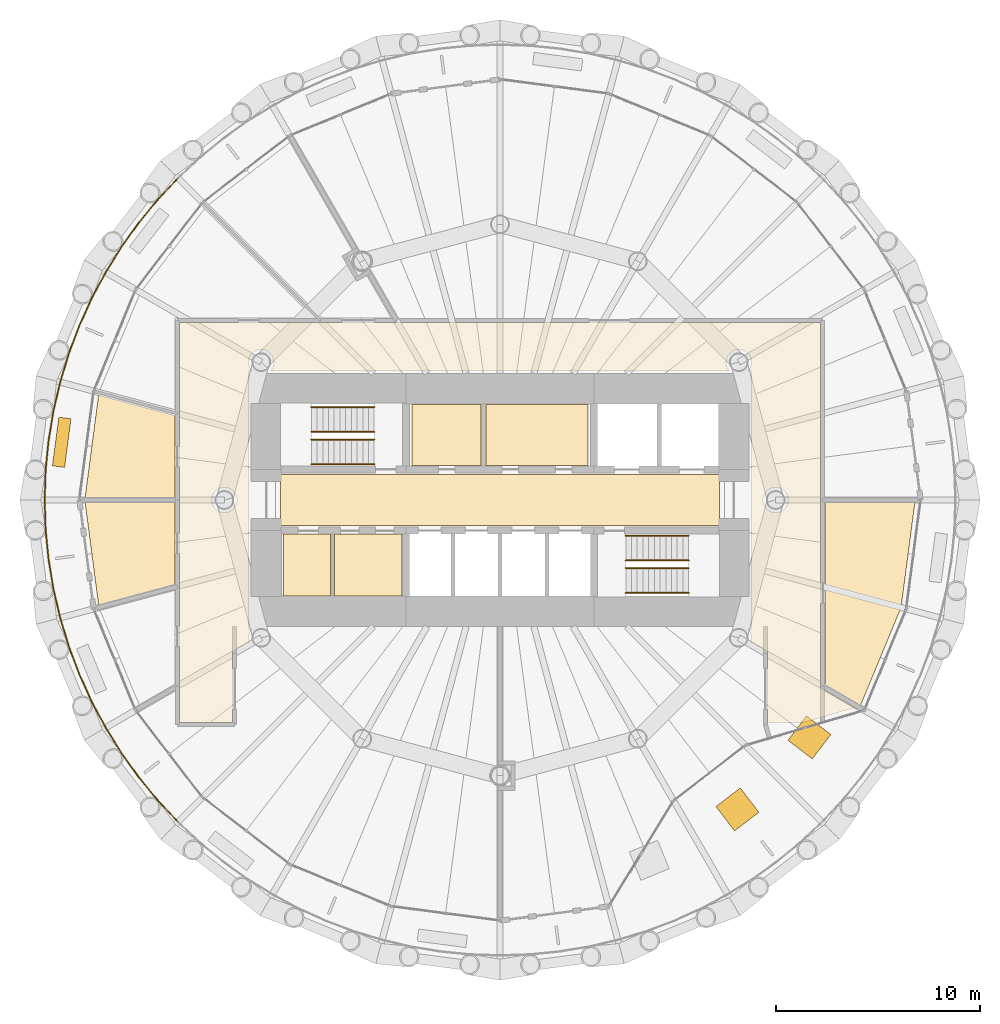
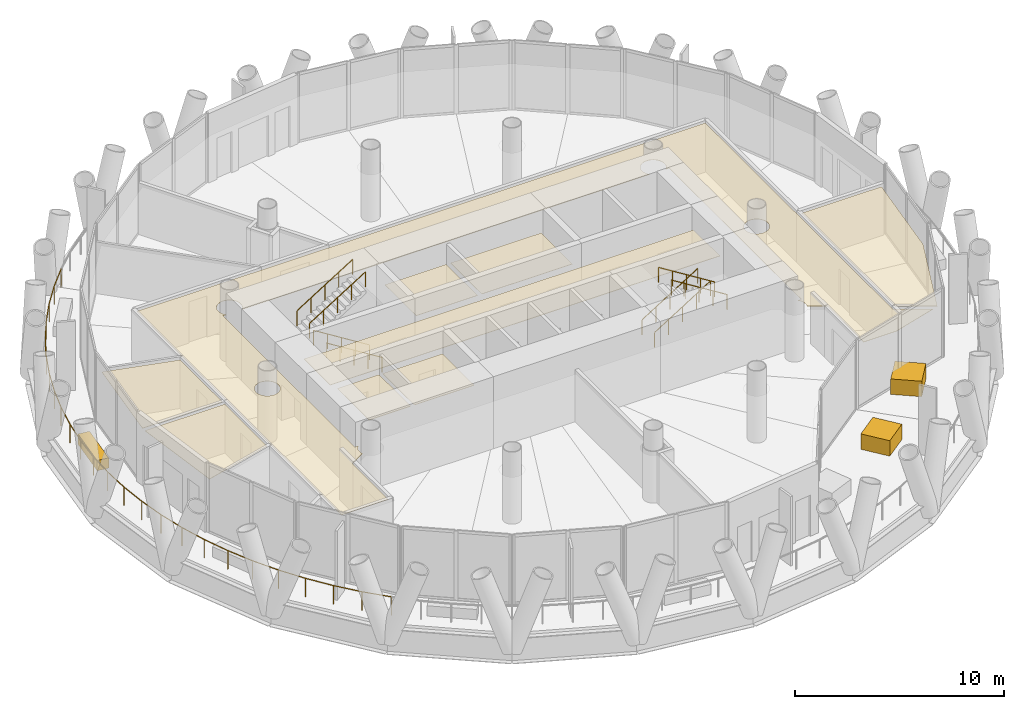
# One storey, part 12 of 14: 12 coverings, 9 railings.
"""IFC4 building model written with IfcOpenShell, lengths in metres."""

from ifc_helpers import new_model, si_unit, direction, frame, origin, origin_2d, place, context, subcontext, project, spatial, polyline, rectangle, circle, outline, extrude, material, layer, layer_set, type_object, element, save


model = new_model("IFC4")

# Units and contexts
model_context = context("Model", 3, precision=1e-05, world=origin(), true_north=direction((0.0, 1.0)))
body_context = subcontext(model_context, "Body", "Model", "MODEL_VIEW")
ifc_project = project(units=[si_unit("LENGTHUNIT", "METRE"), si_unit("AREAUNIT", "SQUARE_METRE"), si_unit("VOLUMEUNIT", "CUBIC_METRE"), si_unit("PLANEANGLEUNIT", "RADIAN"), si_unit("MASSUNIT", "GRAM", prefix="KILO")], contexts=[model_context])

# Site, building, storey
site_placement = place(None, origin())
site = spatial("IfcSite", under=ifc_project, at=site_placement, CompositionType="ELEMENT")
building_placement = place(site_placement, origin())
building = spatial("IfcBuilding", under=site, at=building_placement, Name="Qaws Media Tower", CompositionType="ELEMENT")
storey_placement = place(building_placement, frame((0.0, 0.0, 210.800048828125)))
storey = spatial("IfcBuildingStorey", under=building, at=storey_placement, Name="L48", CompositionType="ELEMENT", Elevation=210.800048828125)

# Railing
ifc_material_1 = material(Name="Stainless steel and glass guard", Category="steel")
railing_type_1 = type_object("IfcRailingType", Name="Balcony guard 1100", PredefinedType="GUARDRAIL", material=ifc_material_1)
railing_placement = place(storey_placement, frame((44.2314453125, 65.7685546875, 0.0)))
element("IfcRailing", 1, at=railing_placement, inside=storey, type_object=railing_type_1, Name="GR1 balcony guard L48-2", PredefinedType="GUARDRAIL", context=body_context, shape_type="SweptSolid", body=[
    extrude(circle(Radius=0.02392578125, at=origin_2d()), frame((0.0, 0.0, 1.076171875), z_axis=(-0.683557061396, -0.72989707755, 0.0), x_axis=(0.72989707755, -0.683557061396, 0.0)), (0.0, 0.0, 1.0), 1.45947265625),
    extrude(circle(Radius=0.02392578125, at=origin_2d()), frame((-0.99755859375, -1.065185546875, 1.076171875), z_axis=(-0.6344396702, -0.772972382997, 0.0), x_axis=(0.772972382997, -0.6344396702, 0.0)), (0.0, 0.0, 1.0), 1.459228515625),
    extrude(circle(Radius=0.02392578125, at=origin_2d()), frame((-1.92333984375, -2.193115234375, 1.076171875), z_axis=(-0.582377083837, -0.812918773446, 0.0), x_axis=(0.812918773446, -0.582377083837, 0.0)), (0.0, 0.0, 1.0), 1.459228515625),
    extrude(circle(Radius=0.02392578125, at=origin_2d()), frame((-2.773193359375, -3.37939453125, 1.076171875), z_axis=(-0.528012394028, -0.849236664159, 0.0), x_axis=(0.849236664159, -0.528012394028, 0.0)), (0.0, 0.0, 1.0), 1.459228515625),
    extrude(circle(Radius=0.02392578125, at=origin_2d()), frame((-3.543701171875, -4.61865234375, 1.076171875), z_axis=(-0.471473746049, -0.881880097738, 0.0), x_axis=(0.881880097738, -0.471473746049, 0.0)), (0.0, 0.0, 1.0), 1.459228515625),
    extrude(circle(Radius=0.02392578125, at=origin_2d()), frame((-4.231689453125, -5.905517578125, 1.076171875), z_axis=(-0.41275640386, -0.910841452215, 0.0), x_axis=(0.910841452215, -0.41275640386, 0.0)), (0.0, 0.0, 1.0), 1.459228515625),
    extrude(circle(Radius=0.02392578125, at=origin_2d()), frame((-4.833984375, -7.234619140625, 1.076171875), z_axis=(-0.352186662304, -0.935929780964, 0.0), x_axis=(0.935929780964, -0.352186662304, 0.0)), (0.0, 0.0, 1.0), 1.459228515625),
    extrude(circle(Radius=0.02392578125, at=origin_2d()), frame((-5.347900390625, -8.600341796875, 1.076171875), z_axis=(-0.290262764805, -0.956946982527, 0.0), x_axis=(0.956946982527, -0.290262764805, 0.0)), (0.0, 0.0, 1.0), 1.459228515625),
    extrude(circle(Radius=0.02392578125, at=origin_2d()), frame((-5.771484375, -9.996826171875, 1.076171875), z_axis=(-0.227192594499, -0.973849847258, 0.0), x_axis=(0.973849847258, -0.227192594499, 0.0)), (0.0, 0.0, 1.0), 1.459228515625),
    extrude(circle(Radius=0.02392578125, at=origin_2d()), frame((-6.10302734375, -11.41796875, 1.076171875), z_axis=(-0.162771097721, -0.986663858539, 0.0), x_axis=(0.986663858539, -0.162771097721, 0.0)), (0.0, 0.0, 1.0), 1.45947265625),
    extrude(circle(Radius=0.02392578125, at=origin_2d()), frame((-6.340576171875, -12.85791015625, 1.076171875), z_axis=(-0.098045829483, -0.99518190062, 0.0), x_axis=(0.99518190062, -0.098045829483, 0.0)), (0.0, 0.0, 1.0), 1.459228515625),
    extrude(circle(Radius=0.02392578125, at=origin_2d()), frame((-6.483642578125, -14.31005859375, 1.076171875), z_axis=(-0.032791194499, -0.99946222418, 0.0), x_axis=(0.99946222418, -0.032791194499, 0.0)), (0.0, 0.0, 1.0), 1.459228515625),
    extrude(circle(Radius=0.02392578125, at=origin_2d()), frame((-6.531494140625, -15.7685546875, 1.076171875), z_axis=(0.032791194499, -0.99946222418, 0.0), x_axis=(0.99946222418, 0.032791194499, 0.0)), (0.0, 0.0, 1.0), 1.459228515625),
    extrude(circle(Radius=0.02392578125, at=origin_2d()), frame((-6.483642578125, -17.22705078125, 1.076171875), z_axis=(0.098045829483, -0.99518190062, 0.0), x_axis=(0.99518190062, 0.098045829483, 0.0)), (0.0, 0.0, 1.0), 1.459228515625),
    extrude(circle(Radius=0.02392578125, at=origin_2d()), frame((-6.340576171875, -18.67919921875, 1.076171875), z_axis=(0.162771097721, -0.986663858539, 0.0), x_axis=(0.986663858539, 0.162771097721, 0.0)), (0.0, 0.0, 1.0), 1.45947265625),
    extrude(circle(Radius=0.02392578125, at=origin_2d()), frame((-6.10302734375, -20.119140625, 1.076171875), z_axis=(0.227192594499, -0.973849847258, 0.0), x_axis=(0.973849847258, 0.227192594499, 0.0)), (0.0, 0.0, 1.0), 1.459228515625),
    extrude(circle(Radius=0.02392578125, at=origin_2d()), frame((-5.771484375, -21.540283203125, 1.076171875), z_axis=(0.290262764805, -0.956946982527, 0.0), x_axis=(0.956946982527, 0.290262764805, 0.0)), (0.0, 0.0, 1.0), 1.459228515625),
    extrude(circle(Radius=0.02392578125, at=origin_2d()), frame((-5.347900390625, -22.936767578125, 1.076171875), z_axis=(0.352186662304, -0.935929780964, 0.0), x_axis=(0.935929780964, 0.352186662304, 0.0)), (0.0, 0.0, 1.0), 1.459228515625),
    extrude(circle(Radius=0.02392578125, at=origin_2d()), frame((-4.833984375, -24.302490234375, 1.076171875), z_axis=(0.41275640386, -0.910841452215, 0.0), x_axis=(0.910841452215, 0.41275640386, 0.0)), (0.0, 0.0, 1.0), 1.459228515625),
    extrude(circle(Radius=0.02392578125, at=origin_2d()), frame((-4.231689453125, -25.631591796875, 1.076171875), z_axis=(0.471473746049, -0.881880097738, 0.0), x_axis=(0.881880097738, 0.471473746049, 0.0)), (0.0, 0.0, 1.0), 1.459228515625),
    extrude(circle(Radius=0.02392578125, at=origin_2d()), frame((-3.543701171875, -26.91845703125, 1.076171875), z_axis=(0.528012394028, -0.849236664159, 0.0), x_axis=(0.849236664159, 0.528012394028, 0.0)), (0.0, 0.0, 1.0), 1.459228515625),
    extrude(circle(Radius=0.02392578125, at=origin_2d()), frame((-2.773193359375, -28.15771484375, 1.076171875), z_axis=(0.582377083837, -0.812918773446, 0.0), x_axis=(0.812918773446, 0.582377083837, 0.0)), (0.0, 0.0, 1.0), 1.459228515625),
    extrude(circle(Radius=0.02392578125, at=origin_2d()), frame((-1.92333984375, -29.343994140625, 1.076171875), z_axis=(0.6344396702, -0.772972382997, 0.0), x_axis=(0.772972382997, 0.6344396702, 0.0)), (0.0, 0.0, 1.0), 1.459228515625),
    extrude(circle(Radius=0.02392578125, at=origin_2d()), frame((-0.99755859375, -30.471923828125, 1.076171875), z_axis=(0.683557061396, -0.72989707755, 0.0), x_axis=(0.72989707755, 0.683557061396, 0.0)), (0.0, 0.0, 1.0), 1.45947265625),
    extrude(circle(Radius=0.02099609375, at=origin_2d()), origin(), (0.0, 0.0, 1.0), 1.052001953125),
    extrude(circle(Radius=0.02099609375, at=origin_2d()), frame((-0.99755859375, -1.065185546875, 0.0)), (0.0, 0.0, 1.0), 1.052001953125),
    extrude(circle(Radius=0.02099609375, at=origin_2d()), frame((-1.92333984375, -2.193115234375, 0.0)), (0.0, 0.0, 1.0), 1.052001953125),
    extrude(circle(Radius=0.02099609375, at=origin_2d()), frame((-2.773193359375, -3.37939453125, 0.0)), (0.0, 0.0, 1.0), 1.052001953125),
    extrude(circle(Radius=0.02099609375, at=origin_2d()), frame((-3.543701171875, -4.61865234375, 0.0)), (0.0, 0.0, 1.0), 1.052001953125),
    extrude(circle(Radius=0.02099609375, at=origin_2d()), frame((-4.231689453125, -5.905517578125, 0.0)), (0.0, 0.0, 1.0), 1.052001953125),
    extrude(circle(Radius=0.02099609375, at=origin_2d()), frame((-4.833984375, -7.234619140625, 0.0)), (0.0, 0.0, 1.0), 1.052001953125),
    extrude(circle(Radius=0.02099609375, at=origin_2d()), frame((-5.347900390625, -8.600341796875, 0.0)), (0.0, 0.0, 1.0), 1.052001953125),
    extrude(circle(Radius=0.02099609375, at=origin_2d()), frame((-5.771484375, -9.996826171875, 0.0)), (0.0, 0.0, 1.0), 1.052001953125),
    extrude(circle(Radius=0.02099609375, at=origin_2d()), frame((-6.10302734375, -11.41796875, 0.0)), (0.0, 0.0, 1.0), 1.052001953125),
    extrude(circle(Radius=0.02099609375, at=origin_2d()), frame((-6.340576171875, -12.85791015625, 0.0)), (0.0, 0.0, 1.0), 1.052001953125),
    extrude(circle(Radius=0.02099609375, at=origin_2d()), frame((-6.483642578125, -14.31005859375, 0.0)), (0.0, 0.0, 1.0), 1.052001953125),
    extrude(circle(Radius=0.02099609375, at=origin_2d()), frame((-6.531494140625, -15.7685546875, 0.0)), (0.0, 0.0, 1.0), 1.052001953125),
    extrude(circle(Radius=0.02099609375, at=origin_2d()), frame((-6.483642578125, -17.22705078125, 0.0)), (0.0, 0.0, 1.0), 1.052001953125),
    extrude(circle(Radius=0.02099609375, at=origin_2d()), frame((-6.340576171875, -18.67919921875, 0.0)), (0.0, 0.0, 1.0), 1.052001953125),
    extrude(circle(Radius=0.02099609375, at=origin_2d()), frame((-6.10302734375, -20.119140625, 0.0)), (0.0, 0.0, 1.0), 1.052001953125),
    extrude(circle(Radius=0.02099609375, at=origin_2d()), frame((-5.771484375, -21.540283203125, 0.0)), (0.0, 0.0, 1.0), 1.052001953125),
    extrude(circle(Radius=0.02099609375, at=origin_2d()), frame((-5.347900390625, -22.936767578125, 0.0)), (0.0, 0.0, 1.0), 1.052001953125),
    extrude(circle(Radius=0.02099609375, at=origin_2d()), frame((-4.833984375, -24.302490234375, 0.0)), (0.0, 0.0, 1.0), 1.052001953125),
    extrude(circle(Radius=0.02099609375, at=origin_2d()), frame((-4.231689453125, -25.631591796875, 0.0)), (0.0, 0.0, 1.0), 1.052001953125),
    extrude(circle(Radius=0.02099609375, at=origin_2d()), frame((-3.543701171875, -26.91845703125, 0.0)), (0.0, 0.0, 1.0), 1.052001953125),
    extrude(circle(Radius=0.02099609375, at=origin_2d()), frame((-2.773193359375, -28.15771484375, 0.0)), (0.0, 0.0, 1.0), 1.052001953125),
    extrude(circle(Radius=0.02099609375, at=origin_2d()), frame((-1.92333984375, -29.343994140625, 0.0)), (0.0, 0.0, 1.0), 1.052001953125),
    extrude(circle(Radius=0.02099609375, at=origin_2d()), frame((-0.99755859375, -30.471923828125, 0.0)), (0.0, 0.0, 1.0), 1.052001953125),
    extrude(circle(Radius=0.02099609375, at=origin_2d()), frame((0.0, -31.537109375, 0.0)), (0.0, 0.0, 1.0), 1.052001953125),
])

# Coverings
ifc_material_2 = material(Name="600 x 600 mineral fibre tiles in exposed grid, suspended", Category="mineral fibre")
ifc_layer_1 = layer(ifc_material_2, 0.02001953125)
ifc_layer_set_1 = layer_set([ifc_layer_1], Name="Mineral fibre tile ceiling 20")
covering_type_1 = type_object("IfcCoveringType", Name="Mineral fibre tile ceiling 20", PredefinedType="CEILING", material=ifc_layer_set_1)
covering_1_placement = place(storey_placement, frame((0.0, 0.0, 2.849853515625)))
element("IfcCovering", 2, at=covering_1_placement, inside=storey, type_object=covering_type_1, Name="CL1 ceiling L48-C07 Ladies toilets", PredefinedType="CEILING", context=body_context, shape_type="SweptSolid", body=[
    extrude(outline(polyline([(55.695068359375, 51.695068359375), (55.695068359375, 54.679931640625), (59.075439453125, 54.679931640625), (59.075439453125, 51.695068359375), (55.695068359375, 51.695068359375)])), origin(), (0.0, 0.0, 1.0), 0.02001953125),
])
covering_2_placement = place(storey_placement, frame((0.0, 0.0, 2.849853515625)))
element("IfcCovering", 3, at=covering_2_placement, inside=storey, type_object=covering_type_1, Name="CL1 ceiling L48-C08 Gents toilets", PredefinedType="CEILING", context=body_context, shape_type="SweptSolid", body=[
    extrude(outline(polyline([(59.3154296875, 51.695068359375), (59.3154296875, 54.679931640625), (64.304931640625, 54.679931640625), (64.304931640625, 51.695068359375), (59.3154296875, 51.695068359375)])), origin(), (0.0, 0.0, 1.0), 0.02001953125),
])
covering_3_placement = place(storey_placement, frame((0.0, 0.0, 2.849853515625)))
element("IfcCovering", 4, at=covering_3_placement, inside=storey, type_object=covering_type_1, Name="CL1 ceiling L48-01 Corridor", PredefinedType="CEILING", context=body_context, shape_type="SweptSolid", body=[
    extrude(outline(polyline([(74.927734375, 39.112548828125), (73.112548828125, 39.112548828125), (73.112548828125, 42.559326171875), (72.27197265625, 43.044921875), (72.287353515625, 43.09033203125), (72.302978515625, 43.16943359375), (72.308349609375, 43.25), (72.302978515625, 43.33056640625), (72.287353515625, 43.40966796875), (72.261474609375, 43.486083984375), (72.2255859375, 43.55859375), (72.180908203125, 43.62548828125), (72.126220703125, 43.6875), (72.3125, 43.6875), (72.3125, 56.3125), (72.126220703125, 56.3125), (72.180908203125, 56.37451171875), (72.2255859375, 56.44140625), (72.261474609375, 56.513916015625), (72.287353515625, 56.59033203125), (72.302978515625, 56.66943359375), (72.308349609375, 56.75), (72.302978515625, 56.83056640625), (72.287353515625, 56.90966796875), (72.261474609375, 56.986083984375), (72.2255859375, 57.05859375), (72.180908203125, 57.12548828125), (72.127685546875, 57.186279296875), (72.06689453125, 57.239501953125), (71.999755859375, 57.2841796875), (71.927490234375, 57.320068359375), (71.85107421875, 57.345947265625), (71.77197265625, 57.36181640625), (71.69140625, 57.366943359375), (71.61083984375, 57.36181640625), (71.53173828125, 57.345947265625), (71.455078125, 57.320068359375), (71.3828125, 57.2841796875), (71.315673828125, 57.239501953125), (71.255126953125, 57.186279296875), (71.201904296875, 57.12548828125), (71.156982421875, 57.05859375), (71.121337890625, 56.986083984375), (71.095458984375, 56.90966796875), (71.07958984375, 56.83056640625), (71.07421875, 56.75), (71.07958984375, 56.66943359375), (71.095458984375, 56.59033203125), (71.121337890625, 56.513916015625), (71.156982421875, 56.44140625), (71.201904296875, 56.37451171875), (71.25634765625, 56.3125), (48.74365234375, 56.3125), (48.798095703125, 56.37451171875), (48.843017578125, 56.44140625), (48.878662109375, 56.513916015625), (48.904541015625, 56.59033203125), (48.92041015625, 56.66943359375), (48.92578125, 56.75), (48.92041015625, 56.83056640625), (48.904541015625, 56.90966796875), (48.878662109375, 56.986083984375), (48.843017578125, 57.05859375), (48.798095703125, 57.12548828125), (48.744873046875, 57.186279296875), (48.684326171875, 57.239501953125), (48.6171875, 57.2841796875), (48.544921875, 57.320068359375), (48.46826171875, 57.345947265625), (48.38916015625, 57.36181640625), (48.30859375, 57.366943359375), (48.22802734375, 57.36181640625), (48.14892578125, 57.345947265625), (48.072509765625, 57.320068359375), (48.000244140625, 57.2841796875), (47.93310546875, 57.239501953125), (47.872314453125, 57.186279296875), (47.819091796875, 57.12548828125), (47.7744140625, 57.05859375), (47.738525390625, 56.986083984375), (47.712646484375, 56.90966796875), (47.697021484375, 56.83056640625), (47.691650390625, 56.75), (47.697021484375, 56.66943359375), (47.712646484375, 56.59033203125), (47.738525390625, 56.513916015625), (47.7744140625, 56.44140625), (47.819091796875, 56.37451171875), (47.873779296875, 56.3125), (47.6875, 56.3125), (47.6875, 43.6875), (47.873779296875, 43.6875), (47.819091796875, 43.62548828125), (47.7744140625, 43.55859375), (47.738525390625, 43.486083984375), (47.712646484375, 43.40966796875), (47.697021484375, 43.33056640625), (47.691650390625, 43.25), (47.697021484375, 43.16943359375), (47.712646484375, 43.09033203125), (47.72802734375, 43.044921875), (46.887451171875, 42.559326171875), (46.887451171875, 39.112548828125), (44.3125, 39.112548828125), (44.3125, 58.6875), (75.6875, 58.6875), (75.6875, 40.81298828125), (77.377685546875, 39.8369140625), (74.927734375, 39.112548828125)]), holes=[polyline([(47.070068359375, 49.763916015625), (47.095947265625, 49.84033203125), (47.11181640625, 49.91943359375), (47.116943359375, 50.0), (47.11181640625, 50.08056640625), (47.095947265625, 50.15966796875), (47.070068359375, 50.236083984375), (47.0341796875, 50.30859375), (46.989501953125, 50.37548828125), (46.936279296875, 50.436279296875), (46.87548828125, 50.489501953125), (46.80859375, 50.5341796875), (46.736083984375, 50.570068359375), (46.65966796875, 50.595947265625), (46.58056640625, 50.61181640625), (46.5, 50.616943359375), (46.41943359375, 50.61181640625), (46.34033203125, 50.595947265625), (46.263916015625, 50.570068359375), (46.19140625, 50.5341796875), (46.12451171875, 50.489501953125), (46.063720703125, 50.436279296875), (46.010498046875, 50.37548828125), (45.9658203125, 50.30859375), (45.929931640625, 50.236083984375), (45.904052734375, 50.15966796875), (45.88818359375, 50.08056640625), (45.883056640625, 50.0), (45.88818359375, 49.91943359375), (45.904052734375, 49.84033203125), (45.929931640625, 49.763916015625), (45.9658203125, 49.69140625), (46.010498046875, 49.62451171875), (46.063720703125, 49.563720703125), (46.12451171875, 49.510498046875), (46.19140625, 49.4658203125), (46.263916015625, 49.429931640625), (46.34033203125, 49.404052734375), (46.41943359375, 49.38818359375), (46.5, 49.383056640625), (46.58056640625, 49.38818359375), (46.65966796875, 49.404052734375), (46.736083984375, 49.429931640625), (46.80859375, 49.4658203125), (46.87548828125, 49.510498046875), (46.936279296875, 49.563720703125), (46.989501953125, 49.62451171875), (47.0341796875, 49.69140625), (47.070068359375, 49.763916015625)]), polyline([(74.095947265625, 49.84033203125), (74.11181640625, 49.91943359375), (74.116943359375, 50.0), (74.11181640625, 50.08056640625), (74.095947265625, 50.15966796875), (74.070068359375, 50.236083984375), (74.0341796875, 50.30859375), (73.989501953125, 50.37548828125), (73.936279296875, 50.436279296875), (73.87548828125, 50.489501953125), (73.80859375, 50.5341796875), (73.736083984375, 50.570068359375), (73.65966796875, 50.595947265625), (73.58056640625, 50.61181640625), (73.5, 50.616943359375), (73.41943359375, 50.61181640625), (73.34033203125, 50.595947265625), (73.263916015625, 50.570068359375), (73.19140625, 50.5341796875), (73.12451171875, 50.489501953125), (73.063720703125, 50.436279296875), (73.010498046875, 50.37548828125), (72.9658203125, 50.30859375), (72.929931640625, 50.236083984375), (72.904052734375, 50.15966796875), (72.88818359375, 50.08056640625), (72.883056640625, 50.0), (72.88818359375, 49.91943359375), (72.904052734375, 49.84033203125), (72.929931640625, 49.763916015625), (72.9658203125, 49.69140625), (73.010498046875, 49.62451171875), (73.063720703125, 49.563720703125), (73.12451171875, 49.510498046875), (73.19140625, 49.4658203125), (73.263916015625, 49.429931640625), (73.34033203125, 49.404052734375), (73.41943359375, 49.38818359375), (73.5, 49.383056640625), (73.58056640625, 49.38818359375), (73.65966796875, 49.404052734375), (73.736083984375, 49.429931640625), (73.80859375, 49.4658203125), (73.87548828125, 49.510498046875), (73.936279296875, 49.563720703125), (73.989501953125, 49.62451171875), (74.0341796875, 49.69140625), (74.070068359375, 49.763916015625), (74.095947265625, 49.84033203125)])]), origin(), (0.0, 0.0, 1.0), 0.02001953125),
])
covering_4_placement = place(storey_placement, frame((0.0, 0.0, 2.849853515625)))
element("IfcCovering", 5, at=covering_4_placement, inside=storey, type_object=covering_type_1, Name="CL1 ceiling L48-05 Edit room", PredefinedType="CEILING", context=body_context, shape_type="SweptSolid", body=[
    extrude(outline(polyline([(40.343017578125, 55.150634765625), (44.08740234375, 54.147216796875), (44.08740234375, 50.112548828125), (39.6796875, 50.112548828125), (40.343017578125, 55.150634765625)])), origin(), (0.0, 0.0, 1.0), 0.02001953125),
])
covering_5_placement = place(storey_placement, frame((0.0, 0.0, 2.849853515625)))
element("IfcCovering", 6, at=covering_5_placement, inside=storey, type_object=covering_type_1, Name="CL1 ceiling L48-06 Edit room", PredefinedType="CEILING", context=body_context, shape_type="SweptSolid", body=[
    extrude(outline(polyline([(39.6796875, 49.887451171875), (44.08740234375, 49.887451171875), (44.08740234375, 45.852783203125), (40.343017578125, 44.849365234375), (39.6796875, 49.887451171875)])), origin(), (0.0, 0.0, 1.0), 0.02001953125),
])
covering_6_placement = place(storey_placement, frame((0.0, 0.0, 2.849853515625)))
element("IfcCovering", 7, at=covering_6_placement, inside=storey, type_object=covering_type_1, Name="CL1 ceiling L48-10 Tenant studio office", PredefinedType="CEILING", context=body_context, shape_type="SweptSolid", body=[
    extrude(outline(polyline([(75.91259765625, 40.94287109375), (75.91259765625, 49.887451171875), (80.3203125, 49.887451171875), (79.642333984375, 44.73681640625), (77.654296875, 39.937255859375), (75.91259765625, 40.94287109375)])), origin(), (0.0, 0.0, 1.0), 0.02001953125),
])
covering_7_placement = place(storey_placement, frame((0.0, 0.0, 2.849853515625)))
element("IfcCovering", 8, at=covering_7_placement, inside=storey, type_object=covering_type_1, Name="CL1 ceiling L48-C05 First aid room", PredefinedType="CEILING", context=body_context, shape_type="SweptSolid", body=[
    extrude(outline(polyline([(51.89990234375, 45.300048828125), (51.89990234375, 48.324951171875), (55.199951171875, 48.324951171875), (55.199951171875, 45.300048828125), (51.89990234375, 45.300048828125)])), origin(), (0.0, 0.0, 1.0), 0.02001953125),
])
ifc_material_3 = material(Name="Precast concrete planter with trailing planting", Category="concrete")
ifc_layer_2 = layer(ifc_material_3, 0.60009765625)
ifc_layer_set_2 = layer_set([ifc_layer_2], Name="Planter 2400x600")
covering_type_2 = type_object("IfcCoveringType", Name="Planter 2400x600", PredefinedType="USERDEFINED", material=ifc_layer_set_2)
covering_8_placement = place(storey_placement, frame((38.53515625, 52.825927734375, 0.0), z_axis=(0.0, 0.0, 1.0), x_axis=(-0.13052619222, -0.991444861374, 0.0)))
element("IfcCovering", 9, at=covering_8_placement, inside=storey, type_object=covering_type_2, Name="PL1 balcony planter L48-06", ObjectType="PLANTER", PredefinedType="USERDEFINED", context=body_context, shape_type="SweptSolid", body=[
    extrude(rectangle(XDim=2.39990234375, YDim=0.60009765625, at=origin_2d()), origin(), (0.0, 0.0, 1.0), 0.60009765625),
])
ifc_material_4 = material(Name="Two layers 12.5 moisture-resistant plasterboard on suspended metal furring", Category="gypsum")
ifc_layer_3 = layer(ifc_material_4, 0.02490234375)
ifc_layer_set_3 = layer_set([ifc_layer_3], Name="Plasterboard ceiling 25")
covering_type_3 = type_object("IfcCoveringType", Name="Plasterboard ceiling 25", PredefinedType="CEILING", material=ifc_layer_set_3)
covering_9_placement = place(storey_placement, frame((0.0, 0.0, 2.849853515625)))
element("IfcCovering", 10, at=covering_9_placement, inside=storey, type_object=covering_type_3, Name="CL2 ceiling L48-C01 Lift lobby", PredefinedType="CEILING", context=body_context, shape_type="SweptSolid", body=[
    extrude(outline(polyline([(49.25, 48.75), (49.25, 51.25), (70.75, 51.25), (70.75, 48.75), (49.25, 48.75)])), origin(), (0.0, 0.0, 1.0), 0.025146484375),
])
covering_10_placement = place(storey_placement, frame((0.0, 0.0, 2.849853515625)))
element("IfcCovering", 11, at=covering_10_placement, inside=storey, type_object=covering_type_3, Name="CL2 ceiling L48-C04 Accessible WC", PredefinedType="CEILING", context=body_context, shape_type="SweptSolid", body=[
    extrude(outline(polyline([(49.39990234375, 45.300048828125), (49.39990234375, 48.324951171875), (51.699951171875, 48.324951171875), (51.699951171875, 45.300048828125), (49.39990234375, 45.300048828125)])), origin(), (0.0, 0.0, 1.0), 0.025146484375),
])

# Railings
ifc_material_5 = material(Name="Steel tube handrail", Category="steel")
railing_type_2 = type_object("IfcRailingType", Name="Stair handrail 900", PredefinedType="HANDRAIL", material=ifc_material_5)
for number, where, name in (
    (12, (53.840087890625, 51.75, 0.175048828125), "HR1 handrail S1 flight 1 L48"),
    (13, (53.840087890625, 52.9599609375, 0.175048828125), "HR1 handrail S1 flight 1 L48"),
):
    element("IfcRailing", number, at=place(storey_placement, frame(where)), inside=storey, type_object=railing_type_2, Name=name, PredefinedType="HANDRAIL", context=body_context, shape_type="SweptSolid", body=[
        extrude(circle(Radius=0.02392578125, at=origin_2d()), frame((0.0, 0.0, 0.8759765625), z_axis=(-0.848028513186, 0.0, 0.529950602248), x_axis=(0.0, -1.0, 0.0)), (0.0, 0.0, 1.0), 3.632080078125),
        extrude(circle(Radius=0.02099609375, at=origin_2d()), origin(), (0.0, 0.0, 1.0), 0.851806640625),
        extrude(circle(Radius=0.02099609375, at=origin_2d()), frame((-0.77001953125, 0.0, 0.481201171875)), (0.0, 0.0, 1.0), 0.851806640625),
        extrude(circle(Radius=0.02099609375, at=origin_2d()), frame((-1.5400390625, 0.0, 0.96240234375)), (0.0, 0.0, 1.0), 0.851806640625),
        extrude(circle(Radius=0.02099609375, at=origin_2d()), frame((-2.31005859375, 0.0, 1.443603515625)), (0.0, 0.0, 1.0), 0.851806640625),
        extrude(circle(Radius=0.02099609375, at=origin_2d()), frame((-3.080078125, 0.0, 1.9248046875)), (0.0, 0.0, 1.0), 0.851806640625),
    ])
for number, where, name in (
    (14, (50.760009765625, 54.550048828125, 2.27490234375), "HR1 handrail S1 flight 2 L48"),
    (15, (50.760009765625, 53.340087890625, 2.27490234375), "HR1 handrail S1 flight 2 L48"),
):
    element("IfcRailing", number, at=place(storey_placement, frame(where)), inside=storey, type_object=railing_type_2, Name=name, PredefinedType="HANDRAIL", context=body_context, shape_type="SweptSolid", body=[
        extrude(circle(Radius=0.02392578125, at=origin_2d()), frame((0.0, 0.0, 0.8759765625), z_axis=(0.847998304005, 0.0, 0.529998940003), x_axis=(0.0, 1.0, 0.0)), (0.0, 0.0, 1.0), 3.632080078125),
        extrude(circle(Radius=0.02099609375, at=origin_2d()), origin(), (0.0, 0.0, 1.0), 0.851806640625),
        extrude(circle(Radius=0.02099609375, at=origin_2d()), frame((0.77001953125, 0.0, 0.481201171875)), (0.0, 0.0, 1.0), 0.851806640625),
        extrude(circle(Radius=0.02099609375, at=origin_2d()), frame((1.5400390625, 0.0, 0.96240234375)), (0.0, 0.0, 1.0), 0.851806640625),
        extrude(circle(Radius=0.02099609375, at=origin_2d()), frame((2.31005859375, 0.0, 1.44384765625)), (0.0, 0.0, 1.0), 0.851806640625),
        extrude(circle(Radius=0.02099609375, at=origin_2d()), frame((3.080078125, 0.0, 1.925048828125)), (0.0, 0.0, 1.0), 0.851806640625),
    ])
for number, where, name in (
    (16, (66.159912109375, 48.25, 0.175048828125), "HR1 handrail S2 flight 1 L48"),
    (17, (66.159912109375, 47.0400390625, 0.175048828125), "HR1 handrail S2 flight 1 L48"),
):
    element("IfcRailing", number, at=place(storey_placement, frame(where)), inside=storey, type_object=railing_type_2, Name=name, PredefinedType="HANDRAIL", context=body_context, shape_type="SweptSolid", body=[
        extrude(circle(Radius=0.02392578125, at=origin_2d()), frame((0.0, 0.0, 0.8759765625), z_axis=(0.848028513186, 0.0, 0.529950602248), x_axis=(0.0, 1.0, 0.0)), (0.0, 0.0, 1.0), 3.632080078125),
        extrude(circle(Radius=0.02099609375, at=origin_2d()), origin(), (0.0, 0.0, 1.0), 0.851806640625),
        extrude(circle(Radius=0.02099609375, at=origin_2d()), frame((0.77001953125, 0.0, 0.481201171875)), (0.0, 0.0, 1.0), 0.851806640625),
        extrude(circle(Radius=0.02099609375, at=origin_2d()), frame((1.5400390625, 0.0, 0.96240234375)), (0.0, 0.0, 1.0), 0.851806640625),
        extrude(circle(Radius=0.02099609375, at=origin_2d()), frame((2.31005859375, 0.0, 1.443603515625)), (0.0, 0.0, 1.0), 0.851806640625),
        extrude(circle(Radius=0.02099609375, at=origin_2d()), frame((3.080078125, 0.0, 1.9248046875)), (0.0, 0.0, 1.0), 0.851806640625),
    ])
for number, where, name in (
    (18, (69.239990234375, 45.449951171875, 2.27490234375), "HR1 handrail S2 flight 2 L48"),
    (19, (69.239990234375, 46.659912109375, 2.27490234375), "HR1 handrail S2 flight 2 L48"),
):
    element("IfcRailing", number, at=place(storey_placement, frame(where)), inside=storey, type_object=railing_type_2, Name=name, PredefinedType="HANDRAIL", context=body_context, shape_type="SweptSolid", body=[
        extrude(circle(Radius=0.02392578125, at=origin_2d()), frame((0.0, 0.0, 0.8759765625), z_axis=(-0.847998304005, 0.0, 0.529998940003), x_axis=(0.0, -1.0, 0.0)), (0.0, 0.0, 1.0), 3.632080078125),
        extrude(circle(Radius=0.02099609375, at=origin_2d()), origin(), (0.0, 0.0, 1.0), 0.851806640625),
        extrude(circle(Radius=0.02099609375, at=origin_2d()), frame((-0.77001953125, 0.0, 0.481201171875)), (0.0, 0.0, 1.0), 0.851806640625),
        extrude(circle(Radius=0.02099609375, at=origin_2d()), frame((-1.5400390625, 0.0, 0.96240234375)), (0.0, 0.0, 1.0), 0.851806640625),
        extrude(circle(Radius=0.02099609375, at=origin_2d()), frame((-2.31005859375, 0.0, 1.44384765625)), (0.0, 0.0, 1.0), 0.851806640625),
        extrude(circle(Radius=0.02099609375, at=origin_2d()), frame((-3.080078125, 0.0, 1.925048828125)), (0.0, 0.0, 1.0), 0.851806640625),
    ])

# Coverings
ifc_material_6 = material(Name="Precast concrete tree planter", Category="concrete")
ifc_layer_4 = layer(ifc_material_6, 0.89990234375)
ifc_layer_set_4 = layer_set([ifc_layer_4], Name="Tree planter 1500")
covering_type_4 = type_object("IfcCoveringType", Name="Tree planter 1500", PredefinedType="USERDEFINED", material=ifc_layer_set_4)
for number, where, z_axis, x_axis, name in (
    (20, (71.62744140625, 34.846923828125, 0.0), (0.0, 0.0, 1.0), (0.608761429009, -0.793353340291, 0.0), "PL2 sky garden tree planter L48-2"),
    (21, (75.153076171875, 38.37255859375, 0.0), (0.0, 0.0, 1.0), (0.793353340291, -0.608761429009, 0.0), "PL2 sky garden tree planter L48-3"),
):
    element("IfcCovering", number, at=place(storey_placement, frame(where, z_axis=z_axis, x_axis=x_axis)), inside=storey, type_object=covering_type_4, Name=name, ObjectType="PLANTER", PredefinedType="USERDEFINED", context=body_context, shape_type="SweptSolid", body=[
        extrude(rectangle(XDim=1.5, YDim=1.5, at=origin_2d()), origin(), (0.0, 0.0, 1.0), 0.89990234375),
    ])

save(model, "model.ifc")
